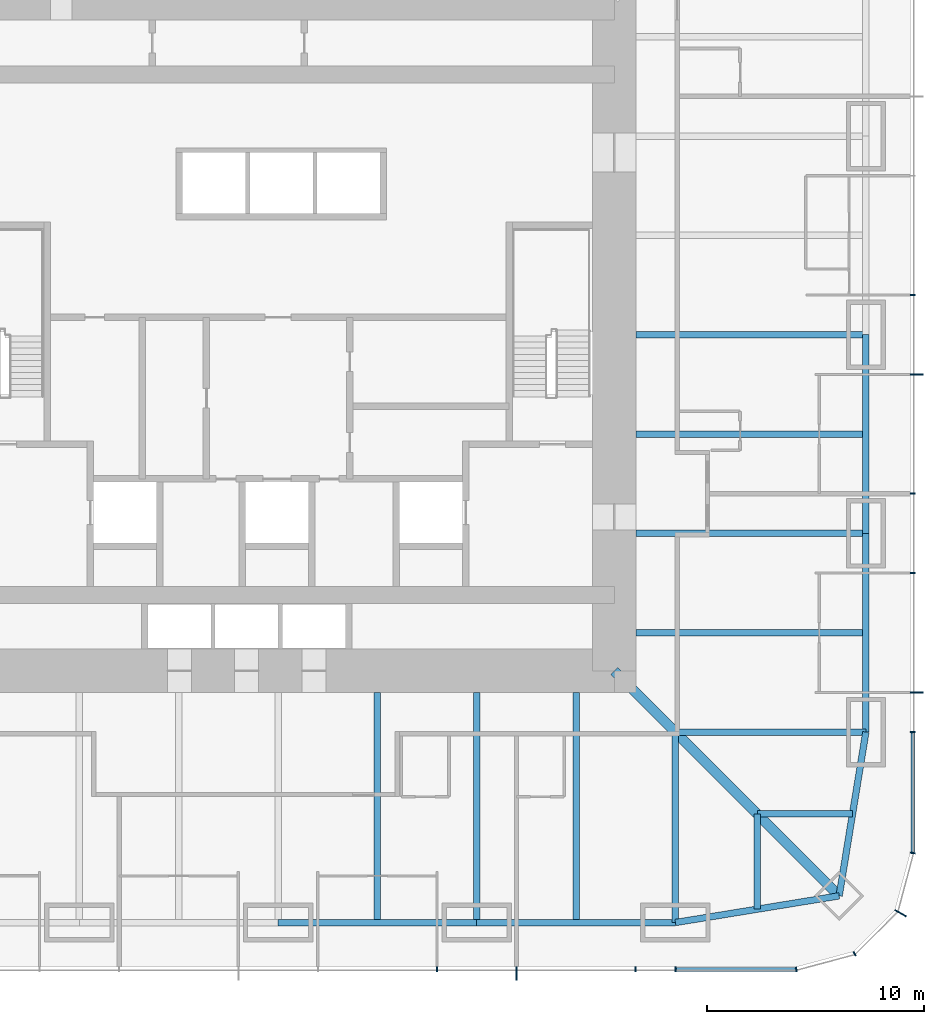
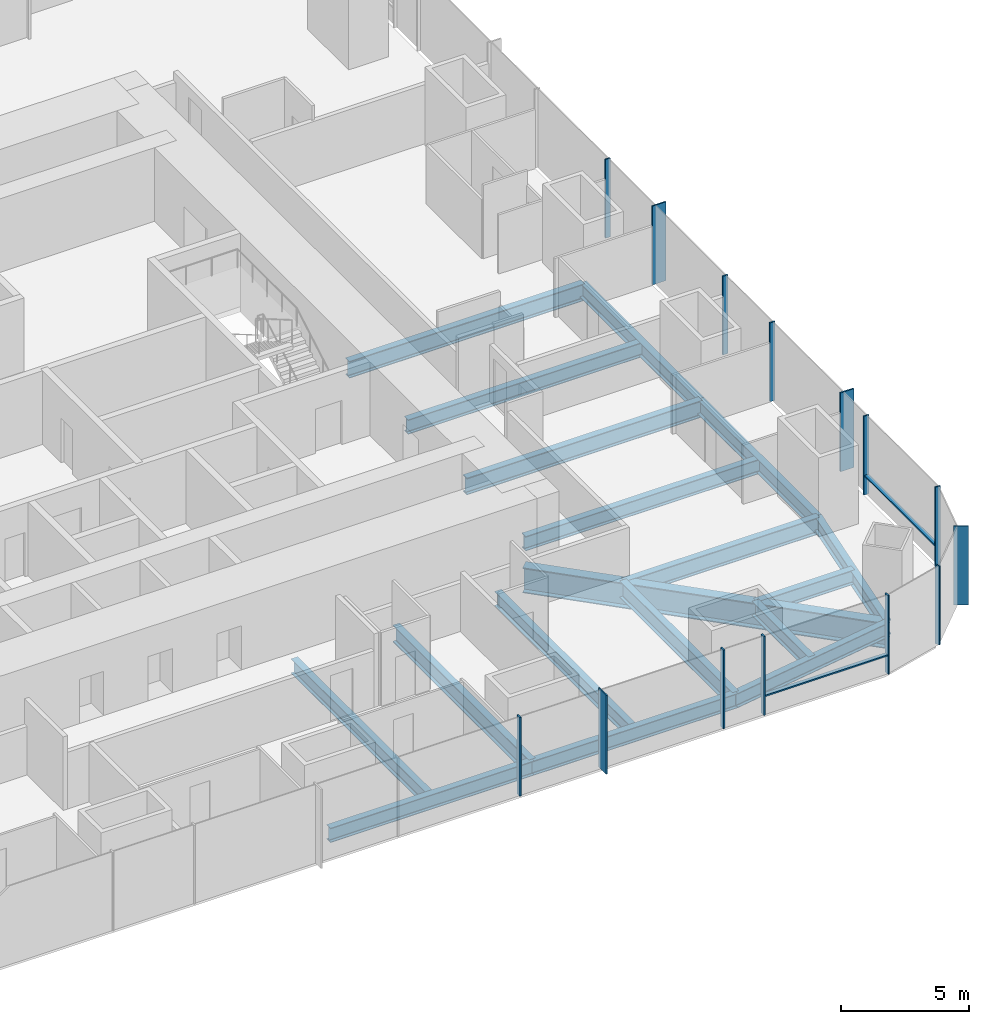
# One storey, part 4 of 13: 18 beams, 16 members, 3 elements without a shape of their own.
"""IFC4 building model written with IfcOpenShell, lengths in metres."""

from ifc_helpers import new_model, si_unit, direction, frame, origin, origin_2d, place, context, subcontext, project, spatial, rectangle, i_section, extrude, material, material_profile, profile_set, type_object, element, aggregate, save


model = new_model("IFC4")

# Units and contexts
model_context = context("Model", 3, precision=1e-05, world=origin(), true_north=direction((0.0, 1.0)))
body_context = subcontext(model_context, "Body", "Model", "MODEL_VIEW")
ifc_project = project(units=[si_unit("LENGTHUNIT", "METRE"), si_unit("AREAUNIT", "SQUARE_METRE"), si_unit("VOLUMEUNIT", "CUBIC_METRE"), si_unit("PLANEANGLEUNIT", "RADIAN"), si_unit("MASSUNIT", "GRAM", prefix="KILO")], contexts=[model_context])

# Site, building, storey
site_placement = place(None, origin())
site = spatial("IfcSite", under=ifc_project, at=site_placement, CompositionType="ELEMENT")
building_placement = place(site_placement, origin())
building = spatial("IfcBuilding", under=site, at=building_placement, Name="Khuree Lantern Residences", CompositionType="ELEMENT")
storey_placement = place(building_placement, frame((0.0, 0.0, 114.75)))
storey = spatial("IfcBuildingStorey", under=building, at=storey_placement, Name="L28", CompositionType="ELEMENT", Elevation=114.75)

# Beams
ifc_material_1 = material(Name="Steel S355", Category="steel")
ifc_material_profile_1 = material_profile(ifc_material_1, i_section(OverallWidth=0.300048828125, OverallDepth=0.68994140625, WebThickness=0.014404296875, FlangeThickness=0.027099609375, FilletRadius=0.027099609375, at=origin_2d()), Name="HE 700 A")
ifc_profile_set_1 = profile_set([ifc_material_profile_1], Name="Steel S355")
beam_type_1 = type_object("IfcBeamType", Name="B-21A SECONDARY BEAM HE 700 A", PredefinedType="BEAM", material=ifc_profile_set_1)
for number, where, z_axis, x_axis, name in (
    (1, (27.10009765625, -4.580078125, -0.594970703125), (-1.0, 0.0, 0.0), (0.0, -1.0, 0.0), "Secondary beam E4"),
    (2, (27.10009765625, -13.739990234375, -0.594970703125), (-1.0, 0.0, 0.0), (0.0, -1.0, 0.0), "Secondary beam E5"),
):
    element("IfcBeam", number, at=place(storey_placement, frame(where, z_axis=z_axis, x_axis=x_axis)), inside=storey, type_object=beam_type_1, Name=name, PredefinedType="BEAM", context=body_context, shape_type="SweptSolid", body=[
        extrude(i_section(OverallWidth=0.300048828125, OverallDepth=0.68994140625, WebThickness=0.014404296875, FlangeThickness=0.027099609375, FilletRadius=0.027099609375, at=origin_2d()), origin(), (0.0, 0.0, 1.0), 10.60009765625),
    ])
for number, where, z_axis, x_axis, name in (
    (3, (26.48486328125, -22.094970703125, -0.594970703125), (-1.0, 0.0, 0.0), (0.0, -1.0, 0.0), "Secondary beam E6"),
    (4, (22.094970703125, -26.48486328125, -0.594970703125), (0.0, 1.0, 0.0), (-1.0, 0.0, 0.0), "Secondary beam S1"),
):
    element("IfcBeam", number, at=place(storey_placement, frame(where, z_axis=z_axis, x_axis=x_axis)), inside=storey, type_object=beam_type_1, Name=name, PredefinedType="BEAM", context=body_context, shape_type="SweptSolid", body=[
        extrude(i_section(OverallWidth=0.300048828125, OverallDepth=0.68994140625, WebThickness=0.014404296875, FlangeThickness=0.027099609375, FilletRadius=0.027099609375, at=origin_2d()), origin(), (0.0, 0.0, 1.0), 4.389892578125),
    ])
for number, where, z_axis, x_axis, name in (
    (5, (13.739990234375, -27.10009765625, -0.594970703125), (0.0, 1.0, 0.0), (-1.0, 0.0, 0.0), "Secondary beam S2"),
    (6, (4.580078125, -27.10009765625, -0.594970703125), (0.0, 1.0, 0.0), (-1.0, 0.0, 0.0), "Secondary beam S3"),
):
    element("IfcBeam", number, at=place(storey_placement, frame(where, z_axis=z_axis, x_axis=x_axis)), inside=storey, type_object=beam_type_1, Name=name, PredefinedType="BEAM", context=body_context, shape_type="SweptSolid", body=[
        extrude(i_section(OverallWidth=0.300048828125, OverallDepth=0.68994140625, WebThickness=0.014404296875, FlangeThickness=0.027099609375, FilletRadius=0.027099609375, at=origin_2d()), origin(), (0.0, 0.0, 1.0), 10.60009765625),
    ])
ifc_material_profile_2 = material_profile(ifc_material_1, i_section(OverallWidth=0.300048828125, OverallDepth=0.68994140625, WebThickness=0.014404296875, FlangeThickness=0.027099609375, FilletRadius=0.027099609375, at=origin_2d()), Name="HE 700 A")
ifc_profile_set_2 = profile_set([ifc_material_profile_2], Name="Steel S355")
beam_type_2 = type_object("IfcBeamType", Name="E-21 SPANDREL BEAM HE 700 A", PredefinedType="SPANDREL", material=ifc_profile_set_2)
beam_1_placement = place(storey_placement, frame((27.10009765625, 0.0, -0.594970703125), z_axis=(0.0, -1.0, 0.0), x_axis=(1.0, 0.0, 0.0)))
element("IfcBeam", 7, at=beam_1_placement, inside=storey, type_object=beam_type_2, Name="Spandrel beam E4", PredefinedType="SPANDREL", context=body_context, shape_type="SweptSolid", body=[
    extrude(i_section(OverallWidth=0.300048828125, OverallDepth=0.68994140625, WebThickness=0.014404296875, FlangeThickness=0.027099609375, FilletRadius=0.027099609375, at=origin_2d()), origin(), (0.0, 0.0, 1.0), 9.159912109375),
])
beam_2_placement = place(storey_placement, frame((27.10009765625, -9.159912109375, -0.594970703125), z_axis=(0.0, -1.0, 0.0), x_axis=(1.0, 0.0, 0.0)))
element("IfcBeam", 8, at=beam_2_placement, inside=storey, type_object=beam_type_2, Name="Spandrel beam E5", PredefinedType="SPANDREL", context=body_context, shape_type="SweptSolid", body=[
    extrude(i_section(OverallWidth=0.300048828125, OverallDepth=0.68994140625, WebThickness=0.014404296875, FlangeThickness=0.027099609375, FilletRadius=0.027099609375, at=origin_2d()), origin(), (0.0, 0.0, 1.0), 9.16015625),
])
for number, where, z_axis, x_axis, name in (
    (9, (27.10009765625, -18.320068359375, -0.594970703125), (-0.160826723833, -0.986982656839, 0.0), (0.986982656839, -0.160826723833, 0.0), "Spandrel beam E6"),
    (10, (25.869873046875, -25.869873046875, -0.594970703125), (-0.986982656839, -0.160826723833, 0.0), (0.160826723833, -0.986982656839, 0.0), "Spandrel beam S1"),
):
    element("IfcBeam", number, at=place(storey_placement, frame(where, z_axis=z_axis, x_axis=x_axis)), inside=storey, type_object=beam_type_2, Name=name, PredefinedType="SPANDREL", context=body_context, shape_type="SweptSolid", body=[
        extrude(i_section(OverallWidth=0.300048828125, OverallDepth=0.68994140625, WebThickness=0.014404296875, FlangeThickness=0.027099609375, FilletRadius=0.027099609375, at=origin_2d()), origin(), (0.0, 0.0, 1.0), 7.6494140625),
    ])
beam_3_placement = place(storey_placement, frame((18.320068359375, -27.10009765625, -0.594970703125), z_axis=(-1.0, 0.0, 0.0), x_axis=(0.0, -1.0, 0.0)))
element("IfcBeam", 11, at=beam_3_placement, inside=storey, type_object=beam_type_2, Name="Spandrel beam S2", PredefinedType="SPANDREL", context=body_context, shape_type="SweptSolid", body=[
    extrude(i_section(OverallWidth=0.300048828125, OverallDepth=0.68994140625, WebThickness=0.014404296875, FlangeThickness=0.027099609375, FilletRadius=0.027099609375, at=origin_2d()), origin(), (0.0, 0.0, 1.0), 9.16015625),
])
beam_4_placement = place(storey_placement, frame((9.159912109375, -27.10009765625, -0.594970703125), z_axis=(-1.0, 0.0, 0.0), x_axis=(0.0, -1.0, 0.0)))
element("IfcBeam", 12, at=beam_4_placement, inside=storey, type_object=beam_type_2, Name="Spandrel beam S3", PredefinedType="SPANDREL", context=body_context, shape_type="SweptSolid", body=[
    extrude(i_section(OverallWidth=0.300048828125, OverallDepth=0.68994140625, WebThickness=0.014404296875, FlangeThickness=0.027099609375, FilletRadius=0.027099609375, at=origin_2d()), origin(), (0.0, 0.0, 1.0), 9.159912109375),
])

# Curtain wall, member
ifc_material_2 = material(Name="Bronze anodised aluminium", Category="aluminium")
curtain_wall_type_1 = type_object("IfcCurtainWallType", Name="CW-T2 TOWER CORNER CURTAIN WALL", PredefinedType="USERDEFINED", material=ifc_material_2)
curtain_wall_1_placement = place(storey_placement, origin())
curtain_wall_1 = element("IfcCurtainWall", 13, at=curtain_wall_1_placement, inside=storey, type_object=curtain_wall_type_1, Name="L28 SOUTH-EAST CORNER CURTAIN WALL", ObjectType="Faceted corner curtain wall", PredefinedType="USERDEFINED")
ifc_material_profile_3 = material_profile(ifc_material_2, rectangle(XDim=0.06494140625, YDim=0.60009765625, at=origin_2d()), Name="F1 65X600")
ifc_profile_set_3 = profile_set([ifc_material_profile_3], Name="Bronze anodised aluminium")
member_type_1 = type_object("IfcMemberType", Name="F1 BRONZE FIN MULLION TOWER 65X600", PredefinedType="MULLION", material=ifc_profile_set_3)
member_1_placement = place(storey_placement, frame((28.70654296875, -26.675048828125, 0.0), z_axis=(0.0, 0.0, 1.0), x_axis=(0.500000026995, 0.866025388199, 0.0)))
member_1 = element("IfcMember", 14, at=member_1_placement, type_object=member_type_1, Name="L28 SOUTH-EAST CORNER FIN MULLION 3", PredefinedType="MULLION", context=body_context, shape_type="SweptSolid", body=[
    extrude(rectangle(XDim=0.06494140625, YDim=0.60009765625, at=origin_2d()), origin(), (0.0, 0.0, 1.0), 3.75),
])

# Curtain wall, members
curtain_wall_type_2 = type_object("IfcCurtainWallType", Name="CW-T1 TOWER FACE CURTAIN WALL", PredefinedType="USERDEFINED", material=ifc_material_2)
curtain_wall_2_placement = place(storey_placement, origin())
curtain_wall_2 = element("IfcCurtainWall", 15, at=curtain_wall_2_placement, inside=storey, type_object=curtain_wall_type_2, Name="L28 EAST FACE CURTAIN WALL", ObjectType="Stick-built curtain wall", PredefinedType="USERDEFINED")
member_2_placement = place(storey_placement, frame((29.449951171875, -16.488037109375, 0.0), z_axis=(0.0, 0.0, 1.0), x_axis=(0.0, 1.0, 0.0)))
member_2 = element("IfcMember", 16, at=member_2_placement, type_object=member_type_1, Name="L28 EAST FACE FIN MULLION 6", PredefinedType="MULLION", context=body_context, shape_type="SweptSolid", body=[
    extrude(rectangle(XDim=0.06494140625, YDim=0.60009765625, at=origin_2d()), origin(), (0.0, 0.0, 1.0), 3.75),
])
member_3_placement = place(storey_placement, frame((29.449951171875, -1.83203125, 0.0), z_axis=(0.0, 0.0, 1.0), x_axis=(0.0, 1.0, 0.0)))
member_3 = element("IfcMember", 17, at=member_3_placement, type_object=member_type_1, Name="L28 EAST FACE FIN MULLION 9", PredefinedType="MULLION", context=body_context, shape_type="SweptSolid", body=[
    extrude(rectangle(XDim=0.06494140625, YDim=0.60009765625, at=origin_2d()), origin(), (0.0, 0.0, 1.0), 3.75),
])

# Curtain wall, member
curtain_wall_3_placement = place(storey_placement, origin())
curtain_wall_3 = element("IfcCurtainWall", 18, at=curtain_wall_3_placement, inside=storey, type_object=curtain_wall_type_2, Name="L28 SOUTH FACE CURTAIN WALL", ObjectType="Stick-built curtain wall", PredefinedType="USERDEFINED")
member_4_placement = place(storey_placement, frame((10.991943359375, -29.449951171875, 0.0), z_axis=(0.0, 0.0, 1.0), x_axis=(1.0, 0.0, 0.0)))
member_4 = element("IfcMember", 19, at=member_4_placement, type_object=member_type_1, Name="L28 SOUTH FACE FIN MULLION 54", PredefinedType="MULLION", context=body_context, shape_type="SweptSolid", body=[
    extrude(rectangle(XDim=0.06494140625, YDim=0.60009765625, at=origin_2d()), origin(), (0.0, 0.0, 1.0), 3.75),
])

# Beams
ifc_material_profile_4 = material_profile(ifc_material_1, i_section(OverallWidth=0.300048828125, OverallDepth=0.800048828125, WebThickness=0.017578125, FlangeThickness=0.032958984375, FilletRadius=0.030029296875, at=origin_2d()), Name="HE 800 B")
ifc_profile_set_4 = profile_set([ifc_material_profile_4], Name="Steel S355")
beam_type_3 = type_object("IfcBeamType", Name="G-21 GIRDER HE 800 B", PredefinedType="BEAM", material=ifc_profile_set_4)
for number, where, z_axis, x_axis, name in (
    (20, (27.10009765625, 0.0, -0.64990234375), (-1.0, 0.0, 0.0), (0.0, -1.0, 0.0), "Girder E3"),
    (21, (27.10009765625, -9.159912109375, -0.64990234375), (-1.0, 0.0, 0.0), (0.0, -1.0, 0.0), "Girder E4"),
):
    element("IfcBeam", number, at=place(storey_placement, frame(where, z_axis=z_axis, x_axis=x_axis)), inside=storey, type_object=beam_type_3, Name=name, PredefinedType="BEAM", context=body_context, shape_type="SweptSolid", body=[
        extrude(i_section(OverallWidth=0.300048828125, OverallDepth=0.800048828125, WebThickness=0.017578125, FlangeThickness=0.032958984375, FilletRadius=0.030029296875, at=origin_2d()), origin(), (0.0, 0.0, 1.0), 10.60009765625),
    ])
for number, where, z_axis, x_axis, name in (
    (22, (27.10009765625, -18.320068359375, -0.64990234375), (-1.0, 0.0, 0.0), (0.0, -1.0, 0.0), "Girder E5"),
    (23, (18.320068359375, -27.10009765625, -0.64990234375), (0.0, 1.0, 0.0), (-1.0, 0.0, 0.0), "Girder S1"),
):
    element("IfcBeam", number, at=place(storey_placement, frame(where, z_axis=z_axis, x_axis=x_axis)), inside=storey, type_object=beam_type_3, Name=name, PredefinedType="BEAM", context=body_context, shape_type="SweptSolid", body=[
        extrude(i_section(OverallWidth=0.300048828125, OverallDepth=0.800048828125, WebThickness=0.017578125, FlangeThickness=0.032958984375, FilletRadius=0.030029296875, at=origin_2d()), origin(), (0.0, 0.0, 1.0), 8.780029296875),
    ])
beam_5_placement = place(storey_placement, frame((9.159912109375, -27.10009765625, -0.64990234375), z_axis=(0.0, 1.0, 0.0), x_axis=(-1.0, 0.0, 0.0)))
element("IfcBeam", 24, at=beam_5_placement, inside=storey, type_object=beam_type_3, Name="Girder S2", PredefinedType="BEAM", context=body_context, shape_type="SweptSolid", body=[
    extrude(i_section(OverallWidth=0.300048828125, OverallDepth=0.800048828125, WebThickness=0.017578125, FlangeThickness=0.032958984375, FilletRadius=0.030029296875, at=origin_2d()), origin(), (0.0, 0.0, 1.0), 10.60009765625),
])
ifc_material_profile_5 = material_profile(ifc_material_1, i_section(OverallWidth=0.449951171875, OverallDepth=1.199951171875, WebThickness=0.02490234375, FlangeThickness=0.044921875, at=origin_2d()), Name="WELDED I 1200X450X25X45")
ifc_profile_set_5 = profile_set([ifc_material_profile_5], Name="Steel S355")
beam_type_4 = type_object("IfcBeamType", Name="GD-21 CORNER GIRDER WELDED I 1200X450X25X45", PredefinedType="BEAM", material=ifc_profile_set_5)
beam_6_placement = place(storey_placement, frame((25.869873046875, -25.869873046875, -0.85009765625), z_axis=(-0.707106781187, 0.707106781187, 0.0), x_axis=(-0.707106781187, -0.707106781187, 0.0)))
element("IfcBeam", 25, at=beam_6_placement, inside=storey, type_object=beam_type_4, Name="Corner girder SE", PredefinedType="BEAM", context=body_context, shape_type="SweptSolid", body=[
    extrude(i_section(OverallWidth=0.449951171875, OverallDepth=1.199951171875, WebThickness=0.02490234375, FlangeThickness=0.044921875, at=origin_2d()), origin(), (0.0, 0.0, 1.0), 14.665283203125),
])

# Member
ifc_material_profile_6 = material_profile(ifc_material_2, rectangle(XDim=0.06494140625, YDim=0.219970703125, at=origin_2d()), Name="M1 65X220")
ifc_profile_set_6 = profile_set([ifc_material_profile_6], Name="Bronze anodised aluminium")
member_type_2 = type_object("IfcMemberType", Name="M1 BRONZE MULLION TOWER 65X220", PredefinedType="MULLION", material=ifc_profile_set_6)
member_5_placement = place(storey_placement, frame((23.89501953125, -29.26171875, 0.0), z_axis=(0.0, 0.0, 1.0), x_axis=(0.991444857305, 0.130526223125, 0.0)))
member_5 = element("IfcMember", 26, at=member_5_placement, type_object=member_type_2, Name="L28 SOUTH-EAST CORNER MULLION 1", PredefinedType="MULLION", context=body_context, shape_type="SweptSolid", body=[
    extrude(rectangle(XDim=0.06494140625, YDim=0.219970703125, at=origin_2d()), origin(), (0.0, 0.0, 1.0), 3.75),
])

member_6_placement = place(storey_placement, frame((26.580078125, -28.5419921875, 0.0), z_axis=(0.0, 0.0, 1.0), x_axis=(0.866025388199, 0.500000026995, 0.0)))
member_6 = element("IfcMember", 27, at=member_6_placement, type_object=member_type_2, Name="L28 SOUTH-EAST CORNER MULLION 2", PredefinedType="MULLION", context=body_context, shape_type="SweptSolid", body=[
    extrude(rectangle(XDim=0.06494140625, YDim=0.219970703125, at=origin_2d()), origin(), (0.0, 0.0, 1.0), 3.75),
])

aggregate(curtain_wall_1, [member_5, member_6, member_1])

member_7_placement = place(storey_placement, frame((29.26171875, -23.89501953125, 0.0), z_axis=(0.0, 0.0, 1.0), x_axis=(0.130526223125, 0.991444857305, 0.0)))
member_7 = element("IfcMember", 28, at=member_7_placement, type_object=member_type_2, Name="L28 EAST FACE MULLION 4", PredefinedType="MULLION", context=body_context, shape_type="SweptSolid", body=[
    extrude(rectangle(XDim=0.06494140625, YDim=0.219970703125, at=origin_2d()), origin(), (0.0, 0.0, 1.0), 3.75),
])

member_8_placement = place(storey_placement, frame((29.260009765625, -18.320068359375, 0.0), z_axis=(0.0, 0.0, 1.0), x_axis=(0.0, 1.0, 0.0)))
member_8 = element("IfcMember", 29, at=member_8_placement, type_object=member_type_2, Name="L28 EAST FACE MULLION 5", PredefinedType="MULLION", context=body_context, shape_type="SweptSolid", body=[
    extrude(rectangle(XDim=0.06494140625, YDim=0.219970703125, at=origin_2d()), origin(), (0.0, 0.0, 1.0), 3.75),
])

member_9_placement = place(storey_placement, frame((29.260009765625, -10.991943359375, 0.0), z_axis=(0.0, 0.0, 1.0), x_axis=(0.0, 1.0, 0.0)))
member_9 = element("IfcMember", 30, at=member_9_placement, type_object=member_type_2, Name="L28 EAST FACE MULLION 7", PredefinedType="MULLION", context=body_context, shape_type="SweptSolid", body=[
    extrude(rectangle(XDim=0.06494140625, YDim=0.219970703125, at=origin_2d()), origin(), (0.0, 0.0, 1.0), 3.75),
])

member_10_placement = place(storey_placement, frame((29.260009765625, -7.327880859375, 0.0), z_axis=(0.0, 0.0, 1.0), x_axis=(0.0, 1.0, 0.0)))
member_10 = element("IfcMember", 31, at=member_10_placement, type_object=member_type_2, Name="L28 EAST FACE MULLION 8", PredefinedType="MULLION", context=body_context, shape_type="SweptSolid", body=[
    extrude(rectangle(XDim=0.06494140625, YDim=0.219970703125, at=origin_2d()), origin(), (0.0, 0.0, 1.0), 3.75),
])

member_11_placement = place(storey_placement, frame((29.260009765625, 1.83203125, 0.0), z_axis=(0.0, 0.0, 1.0), x_axis=(0.0, 1.0, 0.0)))
member_11 = element("IfcMember", 32, at=member_11_placement, type_object=member_type_2, Name="L28 EAST FACE MULLION 10", PredefinedType="MULLION", context=body_context, shape_type="SweptSolid", body=[
    extrude(rectangle(XDim=0.06494140625, YDim=0.219970703125, at=origin_2d()), origin(), (0.0, 0.0, 1.0), 3.75),
])

member_12_placement = place(storey_placement, frame((7.327880859375, -29.260009765625, 0.0), z_axis=(0.0, 0.0, 1.0), x_axis=(1.0, 0.0, 0.0)))
member_12 = element("IfcMember", 33, at=member_12_placement, type_object=member_type_2, Name="L28 SOUTH FACE MULLION 53", PredefinedType="MULLION", context=body_context, shape_type="SweptSolid", body=[
    extrude(rectangle(XDim=0.06494140625, YDim=0.219970703125, at=origin_2d()), origin(), (0.0, 0.0, 1.0), 3.75),
])

member_13_placement = place(storey_placement, frame((16.488037109375, -29.260009765625, 0.0), z_axis=(0.0, 0.0, 1.0), x_axis=(1.0, 0.0, 0.0)))
member_13 = element("IfcMember", 34, at=member_13_placement, type_object=member_type_2, Name="L28 SOUTH FACE MULLION 55", PredefinedType="MULLION", context=body_context, shape_type="SweptSolid", body=[
    extrude(rectangle(XDim=0.06494140625, YDim=0.219970703125, at=origin_2d()), origin(), (0.0, 0.0, 1.0), 3.75),
])

member_14_placement = place(storey_placement, frame((18.320068359375, -29.260009765625, 0.0), z_axis=(0.0, 0.0, 1.0), x_axis=(1.0, 0.0, 0.0)))
member_14 = element("IfcMember", 35, at=member_14_placement, type_object=member_type_2, Name="L28 SOUTH FACE MULLION 56", PredefinedType="MULLION", context=body_context, shape_type="SweptSolid", body=[
    extrude(rectangle(XDim=0.06494140625, YDim=0.219970703125, at=origin_2d()), origin(), (0.0, 0.0, 1.0), 3.75),
])

ifc_material_profile_7 = material_profile(ifc_material_2, rectangle(XDim=0.179931640625, YDim=0.06494140625, at=origin_2d()), Name="T1 180X65")
ifc_profile_set_7 = profile_set([ifc_material_profile_7], Name="Bronze anodised aluminium")
member_type_3 = type_object("IfcMemberType", Name="TRANSOM T1 TOWER 180X65", PredefinedType="USERDEFINED", material=ifc_profile_set_7)
member_15_placement = place(storey_placement, frame((29.27001953125, -23.851318359375, 0.89990234375), z_axis=(0.0, 1.0, 0.0), x_axis=(-1.0, 0.0, 0.0)))
member_15 = element("IfcMember", 36, at=member_15_placement, type_object=member_type_3, Name="L28 EAST FACE TRANSOM 4.1", ObjectType="Transom", PredefinedType="USERDEFINED", context=body_context, shape_type="SweptSolid", body=[
    extrude(rectangle(XDim=0.179931640625, YDim=0.06494140625, at=origin_2d()), origin(), (0.0, 0.0, 1.0), 5.498779296875),
])

aggregate(curtain_wall_2, [member_7, member_8, member_2, member_9, member_10, member_3, member_11, member_15])

member_16_placement = place(storey_placement, frame((18.3525390625, -29.27001953125, 0.89990234375), z_axis=(1.0, 0.0, 0.0), x_axis=(0.0, 1.0, 0.0)))
member_16 = element("IfcMember", 37, at=member_16_placement, type_object=member_type_3, Name="L28 SOUTH FACE TRANSOM 56.1", ObjectType="Transom", PredefinedType="USERDEFINED", context=body_context, shape_type="SweptSolid", body=[
    extrude(rectangle(XDim=0.179931640625, YDim=0.06494140625, at=origin_2d()), origin(), (0.0, 0.0, 1.0), 5.498779296875),
])

aggregate(curtain_wall_3, [member_12, member_4, member_13, member_14, member_16])

save(model, "model.ifc")
